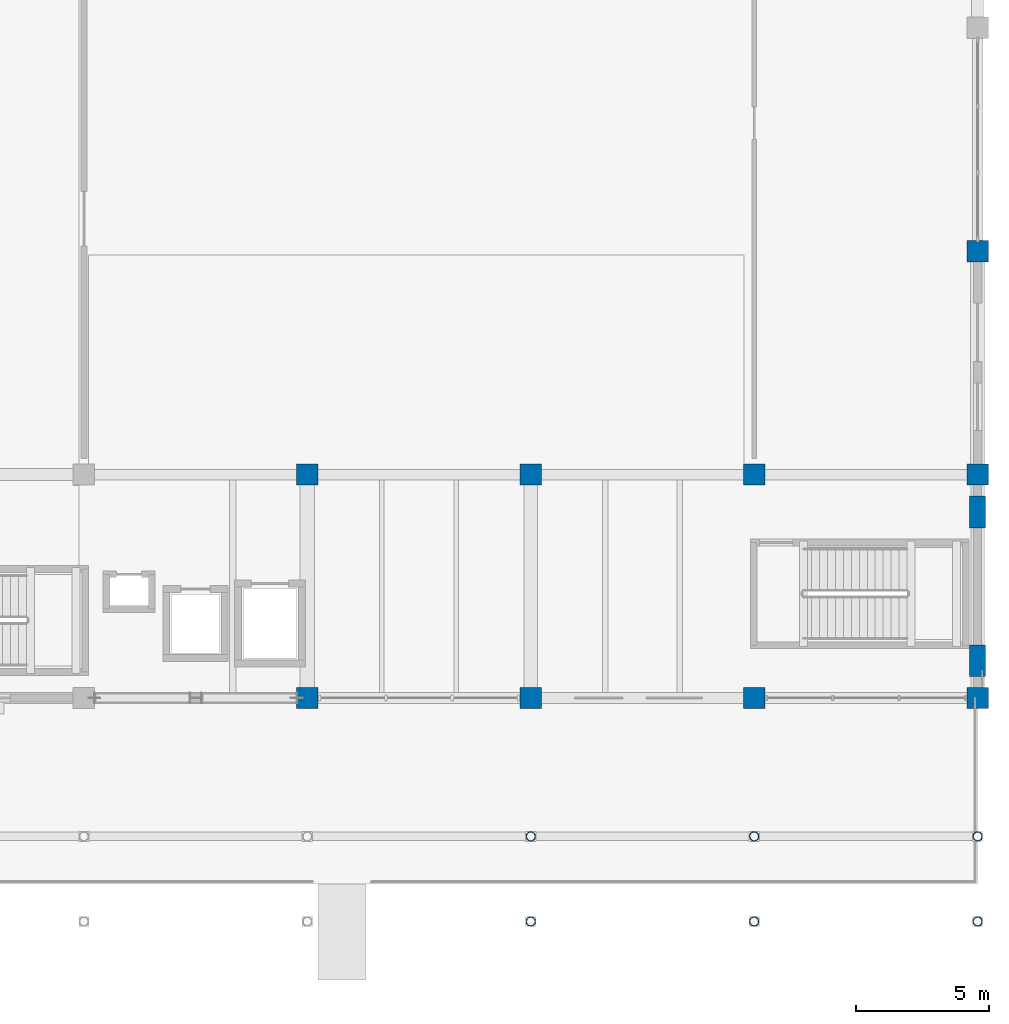
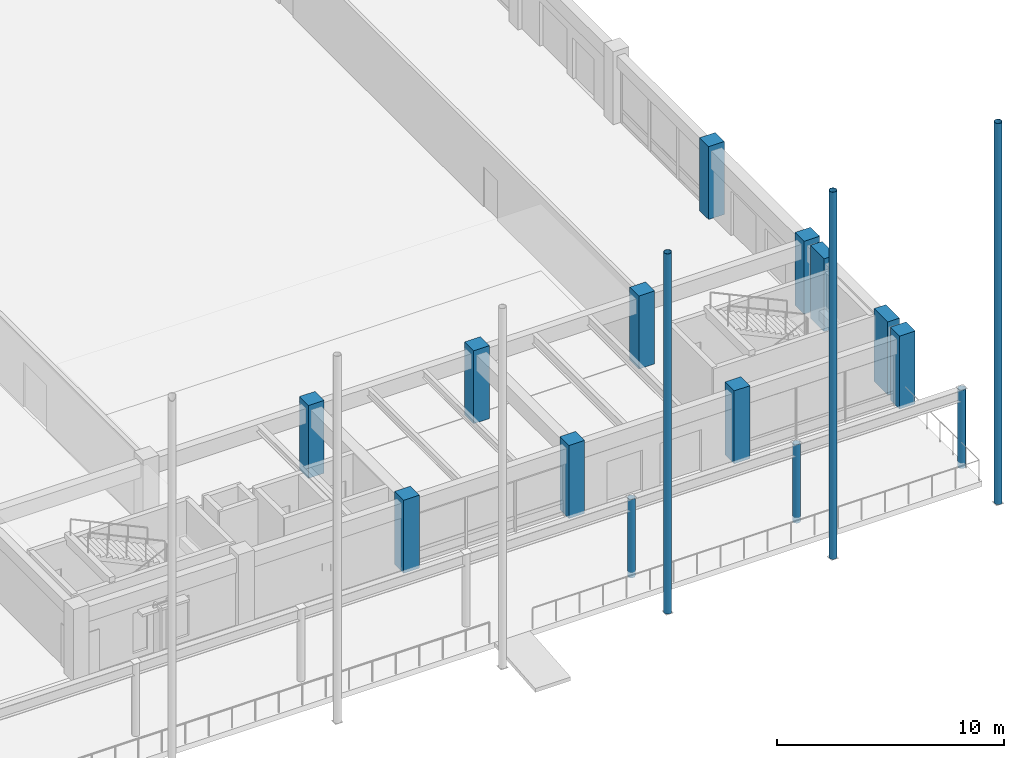
# One storey, part 18 of 135: 17 columns.
"""IFC4 building model written with IfcOpenShell, lengths in metres."""

from ifc_helpers import new_model, si_unit, direction, frame, origin, origin_2d, place, context, subcontext, project, spatial, rectangle, hollow_circle, extrude, material, material_profile, profile_set, type_object, element, save


model = new_model("IFC4")

# Units and contexts
model_context = context("Model", 3, precision=1e-05, world=origin(), true_north=direction((0.0, 1.0)))
body_context = subcontext(model_context, "Body", "Model", "MODEL_VIEW")
ifc_project = project(units=[si_unit("LENGTHUNIT", "METRE"), si_unit("AREAUNIT", "SQUARE_METRE"), si_unit("VOLUMEUNIT", "CUBIC_METRE"), si_unit("PLANEANGLEUNIT", "RADIAN"), si_unit("MASSUNIT", "GRAM", prefix="KILO")], contexts=[model_context])

# Site, building, storey
site_placement = place(None, origin())
site = spatial("IfcSite", under=ifc_project, at=site_placement, CompositionType="ELEMENT")
building_placement = place(site_placement, origin())
building = spatial("IfcBuilding", under=site, at=building_placement, Name="Cumbredor Promenade Congress Hotel", CompositionType="ELEMENT")
storey_placement = place(building_placement, origin())
storey = spatial("IfcBuildingStorey", under=building, at=storey_placement, Name="L00", CompositionType="ELEMENT", Elevation=0.0)

# Columns
ifc_material_1 = material(Name="Concrete C50/60", Category="concrete")
ifc_material_profile_1 = material_profile(ifc_material_1, rectangle(XDim=0.800048828125, YDim=0.800048828125, at=origin_2d()), Name="RC 800x800")
ifc_profile_set_1 = profile_set([ifc_material_profile_1], Name="Concrete C50/60")
column_type_1 = type_object("IfcColumnType", Name="COL-RC-800", PredefinedType="COLUMN", material=ifc_profile_set_1)
for number, where, z_axis, x_axis, name in (
    (1, (159.60009765625, 8.39990234375, 0.0), (0.0, 0.0, 1.0), (1.0, 0.0, 0.0), "L00 Structural Column 174"),
    (2, (159.60009765625, 16.800048828125, 0.0), (0.0, 0.0, 1.0), (1.0, 0.0, 0.0), "L00 Structural Column 175"),
    (3, (168.0, 8.39990234375, 0.0), (0.0, 0.0, 1.0), (1.0, 0.0, 0.0), "L00 Structural Column 183"),
    (4, (168.0, 16.800048828125, 0.0), (0.0, 0.0, 1.0), (1.0, 0.0, 0.0), "L00 Structural Column 184"),
    (5, (176.39990234375, 8.39990234375, 0.0), (0.0, 0.0, 1.0), (1.0, 0.0, 0.0), "L00 Structural Column 192"),
    (6, (176.39990234375, 16.800048828125, 0.0), (0.0, 0.0, 1.0), (1.0, 0.0, 0.0), "L00 Structural Column 193"),
    (7, (184.800048828125, 8.39990234375, 0.0), (0.0, 0.0, 1.0), (1.0, 0.0, 0.0), "L00 Structural Column 201"),
    (8, (184.800048828125, 16.800048828125, 0.0), (0.0, 0.0, 1.0), (1.0, 0.0, 0.0), "L00 Structural Column 202"),
    (9, (184.800048828125, 25.199951171875, 0.0), (0.0, 0.0, 1.0), (1.0, 0.0, 0.0), "L00 Structural Column 203"),
):
    element("IfcColumn", number, at=place(storey_placement, frame(where, z_axis=z_axis, x_axis=x_axis)), inside=storey, type_object=column_type_1, Name=name, PredefinedType="COLUMN", context=body_context, shape_type="SweptSolid", body=[
        extrude(rectangle(XDim=0.800048828125, YDim=0.800048828125, at=origin_2d()), origin(), (0.0, 0.0, 1.0), 3.919921875),
    ])
ifc_material_2 = material(Name="Steel ASTM A500 Grade C", Category="steel")
ifc_material_profile_2 = material_profile(ifc_material_2, hollow_circle(Radius=0.177734375, WallThickness=0.01611328125, at=origin_2d()), Name="CHS 355.6x16")
ifc_profile_set_2 = profile_set([ifc_material_profile_2], Name="Steel ASTM A500 Grade C")
column_type_2 = type_object("IfcColumnType", Name="COL-STL-CHS355", PredefinedType="COLUMN", material=ifc_profile_set_2)
for number, where, z_axis, x_axis, name in (
    (10, (168.0, 3.199951171875, -0.300048828125), (0.0, 0.0, 1.0), (1.0, 0.0, 0.0), "Promenade Colonnade Column TC-028"),
    (11, (176.39990234375, 3.199951171875, -0.300048828125), (0.0, 0.0, 1.0), (1.0, 0.0, 0.0), "Promenade Colonnade Column TC-029"),
    (12, (184.800048828125, 3.199951171875, -0.300048828125), (0.0, 0.0, 1.0), (1.0, 0.0, 0.0), "Promenade Colonnade Column TC-030"),
):
    element("IfcColumn", number, at=place(storey_placement, frame(where, z_axis=z_axis, x_axis=x_axis)), inside=storey, type_object=column_type_2, Name=name, PredefinedType="COLUMN", context=body_context, shape_type="SweptSolid", body=[
        extrude(hollow_circle(Radius=0.177734375, WallThickness=0.01611328125, at=origin_2d()), origin(), (0.0, 0.0, 1.0), 4.219970703125),
    ])
column_1_placement = place(storey_placement, frame((168.0, 0.0, -0.300048828125), z_axis=(0.0, 0.0, 1.0), x_axis=(1.0, 0.0, 0.0)))
element("IfcColumn", 13, at=column_1_placement, inside=storey, type_object=column_type_2, Name="Grand Ballroom Pavilion Slim Overhang Pavilion Column 04", PredefinedType="COLUMN", context=body_context, shape_type="SweptSolid", body=[
    extrude(hollow_circle(Radius=0.177734375, WallThickness=0.01611328125, at=origin_2d()), origin(), (0.0, 0.0, 1.0), 19.356201171875),
])
column_2_placement = place(storey_placement, frame((176.39990234375, 0.0, -0.300048828125), z_axis=(0.0, 0.0, 1.0), x_axis=(1.0, 0.0, 0.0)))
element("IfcColumn", 14, at=column_2_placement, inside=storey, type_object=column_type_2, Name="Grand Ballroom Pavilion Slim Overhang Pavilion Column 05", PredefinedType="COLUMN", context=body_context, shape_type="SweptSolid", body=[
    extrude(hollow_circle(Radius=0.177734375, WallThickness=0.01611328125, at=origin_2d()), origin(), (0.0, 0.0, 1.0), 19.7314453125),
])
column_3_placement = place(storey_placement, frame((184.800048828125, 0.0, -0.300048828125), z_axis=(0.0, 0.0, 1.0), x_axis=(1.0, 0.0, 0.0)))
element("IfcColumn", 15, at=column_3_placement, inside=storey, type_object=column_type_2, Name="Grand Ballroom Pavilion Slim Overhang Pavilion Column 06", PredefinedType="COLUMN", context=body_context, shape_type="SweptSolid", body=[
    extrude(hollow_circle(Radius=0.177734375, WallThickness=0.01611328125, at=origin_2d()), origin(), (0.0, 0.0, 1.0), 20.481201171875),
])
ifc_material_profile_3 = material_profile(ifc_material_1, rectangle(XDim=0.60009765625, YDim=1.199951171875, at=origin_2d()), Name="RC PILASTER 1200x600")
ifc_profile_set_3 = profile_set([ifc_material_profile_3], Name="Concrete C50/60")
column_type_3 = type_object("IfcColumnType", Name="PIL-RC-1200x600", PredefinedType="PILASTER", material=ifc_profile_set_3)
for number, where, z_axis, x_axis, name in (
    (16, (184.800048828125, 9.800048828125, 0.0), (0.0, 0.0, 1.0), (1.0, 0.0, 0.0), "L00 Acoustic Seismic Pilaster 021"),
    (17, (184.800048828125, 15.39990234375, 0.0), (0.0, 0.0, 1.0), (1.0, 0.0, 0.0), "L00 Acoustic Seismic Pilaster 022"),
):
    element("IfcColumn", number, at=place(storey_placement, frame(where, z_axis=z_axis, x_axis=x_axis)), inside=storey, type_object=column_type_3, Name=name, PredefinedType="PILASTER", context=body_context, shape_type="SweptSolid", body=[
        extrude(rectangle(XDim=0.60009765625, YDim=1.199951171875, at=origin_2d()), origin(), (0.0, 0.0, 1.0), 3.919921875),
    ])

save(model, "model.ifc")
